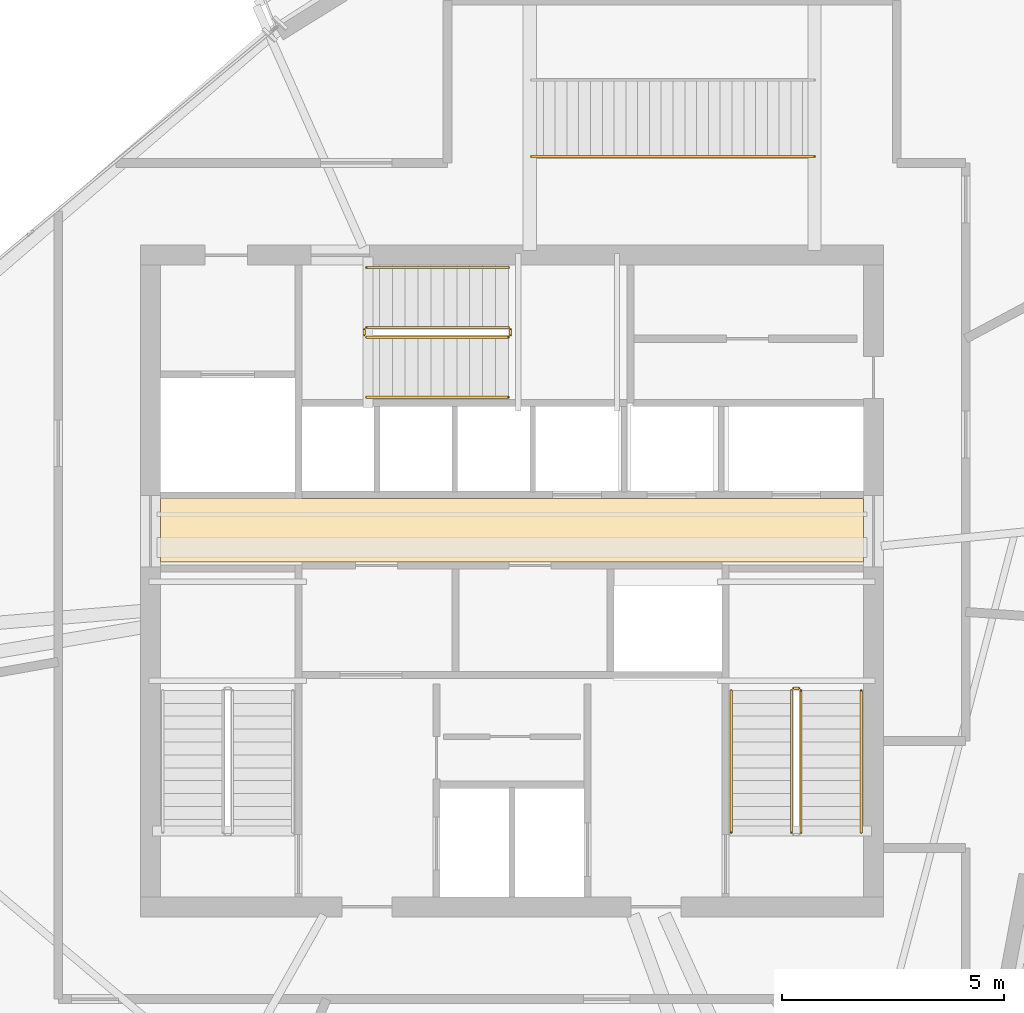
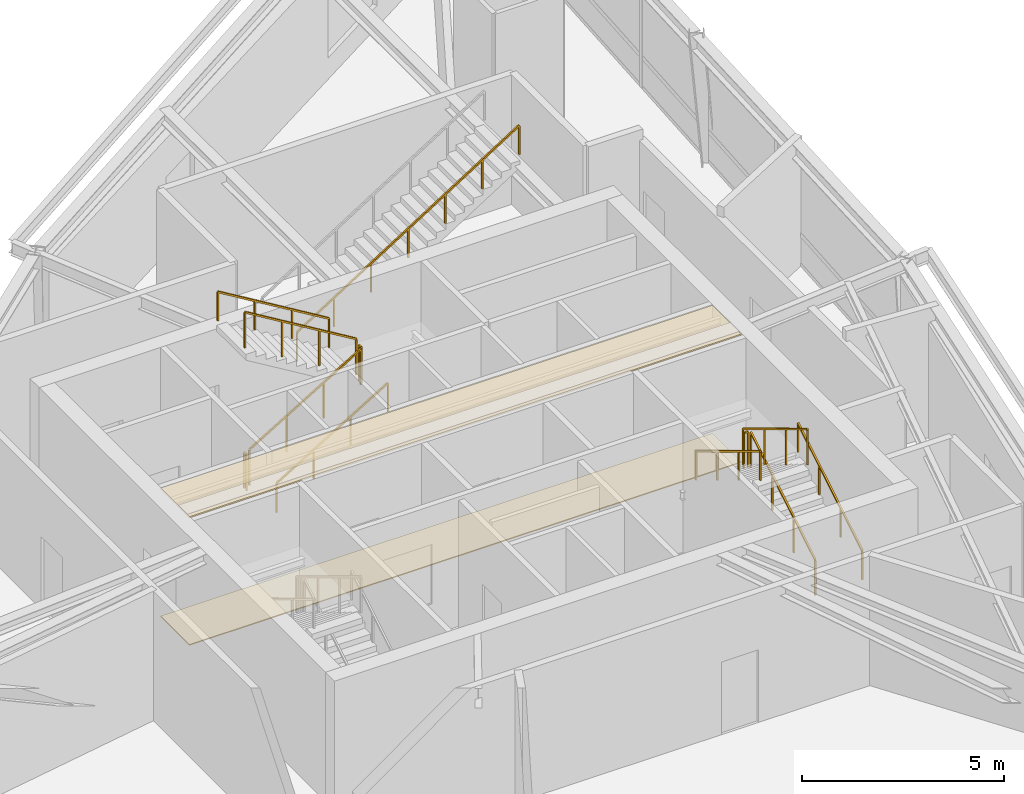
# One storey, part 20 of 21: 12 railings, 2 coverings.
"""IFC4 building model written with IfcOpenShell, lengths in metres."""

from ifc_helpers import new_model, si_unit, direction, frame, origin, origin_2d, place, context, subcontext, project, spatial, polyline, rectangle, outline, extrude, material, layer, layer_set, type_object, element, save


model = new_model("IFC4")

# Units and contexts
model_context = context("Model", 3, precision=1e-05, world=origin(), true_north=direction((0.0, 1.0)))
body_context = subcontext(model_context, "Body", "Model", "MODEL_VIEW")
ifc_project = project(units=[si_unit("LENGTHUNIT", "METRE"), si_unit("AREAUNIT", "SQUARE_METRE"), si_unit("VOLUMEUNIT", "CUBIC_METRE"), si_unit("PLANEANGLEUNIT", "RADIAN"), si_unit("MASSUNIT", "GRAM", prefix="KILO")], contexts=[model_context])

# Site, building, storey
site_placement = place(None, origin())
site = spatial("IfcSite", under=ifc_project, at=site_placement, CompositionType="ELEMENT")
building_placement = place(site_placement, origin())
building = spatial("IfcBuilding", under=site, at=building_placement, Name="Olszyna Solenne Hotel", CompositionType="ELEMENT")
storey_placement = place(building_placement, frame((0.0, 0.0, 277.699951171875)))
storey = spatial("IfcBuildingStorey", under=building, at=storey_placement, Name="L74", CompositionType="ELEMENT", Elevation=277.699951171875)

# Coverings
ifc_material_1 = material(Name="Mineral wool acoustic ceiling")
ifc_layer_1 = layer(ifc_material_1, 0.0400390625, Name="Mineral wool acoustic ceiling")
ifc_layer_set_1 = layer_set([ifc_layer_1], Name="Mineral wool acoustic ceiling")
covering_type_1 = type_object("IfcCoveringType", Name="CL-AC1", PredefinedType="CEILING", material=ifc_layer_set_1)
covering_1_placement = place(storey_placement, frame((0.0, 0.0, 3.860107421875)))
element("IfcCovering", 1, at=covering_1_placement, inside=storey, type_object=covering_type_1, Name="Lift lobby acoustic tile ceiling CL-L74-01", PredefinedType="CEILING", context=body_context, shape_type="SweptSolid", body=[
    extrude(outline(polyline([(30.10009765625, 27.030029296875), (45.89990234375, 27.030029296875), (45.89990234375, 28.4599609375), (30.10009765625, 28.4599609375), (30.10009765625, 27.030029296875)])), origin(), (0.0, 0.0, 1.0), 0.0400390625),
])
ifc_material_2 = material(Name="Ceramic floor tile")
ifc_layer_2 = layer(ifc_material_2, 0.030029296875, Name="Ceramic floor tile")
ifc_layer_set_2 = layer_set([ifc_layer_2], Name="Ceramic floor tile")
covering_type_2 = type_object("IfcCoveringType", Name="FL-TL1", PredefinedType="FLOORING", material=ifc_layer_set_2)
covering_2_placement = place(storey_placement, origin())
element("IfcCovering", 2, at=covering_2_placement, inside=storey, type_object=covering_type_2, Name="Lift lobby stoneware floor finish FLR-L74-01", PredefinedType="FLOORING", context=body_context, shape_type="SweptSolid", body=[
    extrude(outline(polyline([(30.10009765625, 27.030029296875), (45.89990234375, 27.030029296875), (45.89990234375, 28.4599609375), (30.10009765625, 28.4599609375), (30.10009765625, 27.030029296875)])), origin(), (0.0, 0.0, 1.0), 0.030029296875),
])

# Railings
ifc_material_3 = material(Name="Anodised bronze aluminium", Category="aluminium")
railing_type_1 = type_object("IfcRailingType", Name="GR-110", PredefinedType="BALUSTRADE", material=ifc_material_3)
railing_1_placement = place(storey_placement, frame((44.5, 20.949951171875, 0.175048828125)))
element("IfcRailing", 3, at=railing_1_placement, inside=storey, type_object=railing_type_1, Name="L74 ST2 stair guard 1", PredefinedType="BALUSTRADE", context=body_context, shape_type="SweptSolid", body=[
    extrude(rectangle(XDim=0.048095703125, YDim=0.048095703125, at=origin_2d()), frame((0.0, 0.0, 1.076171875), z_axis=(0.0, 0.856177665481, 0.516681531633), x_axis=(-1.0, 0.0, 0.0)), (0.0, 0.0, 1.0), 3.725830078125),
    extrude(rectangle(XDim=0.0419921875, YDim=0.0419921875, at=origin_2d()), origin(), (0.0, 0.0, 1.0), 1.052001953125),
    extrude(rectangle(XDim=0.0419921875, YDim=0.0419921875, at=origin_2d()), frame((0.0, 1.063232421875, 0.6416015625)), (0.0, 0.0, 1.0), 1.052001953125),
    extrude(rectangle(XDim=0.0419921875, YDim=0.0419921875, at=origin_2d()), frame((0.0, 2.126708984375, 1.283447265625)), (0.0, 0.0, 1.0), 1.052001953125),
    extrude(rectangle(XDim=0.0419921875, YDim=0.0419921875, at=origin_2d()), frame((0.0, 3.18994140625, 1.925048828125)), (0.0, 0.0, 1.0), 1.052001953125),
])
railing_2_placement = place(storey_placement, frame((44.449951171875, 24.18994140625, 2.10009765625)))
element("IfcRailing", 4, at=railing_2_placement, inside=storey, type_object=railing_type_1, Name="L74 ST2 stair guard 2", PredefinedType="BALUSTRADE", context=body_context, shape_type="SweptSolid", body=[
    extrude(rectangle(XDim=0.048095703125, YDim=0.048095703125, at=origin_2d()), frame((0.0, 0.0, 1.076171875), z_axis=(-1.0, 0.0, 0.0), x_axis=(0.0, -1.0, 0.0)), (0.0, 0.0, 1.0), 0.119873046875),
    extrude(rectangle(XDim=0.0419921875, YDim=0.0419921875, at=origin_2d()), origin(), (0.0, 0.0, 1.0), 1.052001953125),
    extrude(rectangle(XDim=0.0419921875, YDim=0.0419921875, at=origin_2d()), frame((-0.119873046875, 0.0, 0.0)), (0.0, 0.0, 1.0), 1.052001953125),
])
railing_3_placement = place(storey_placement, frame((44.280029296875, 24.139892578125, 2.275146484375)))
element("IfcRailing", 5, at=railing_3_placement, inside=storey, type_object=railing_type_1, Name="L74 ST2 stair guard 3", PredefinedType="BALUSTRADE", context=body_context, shape_type="SweptSolid", body=[
    extrude(rectangle(XDim=0.048095703125, YDim=0.048095703125, at=origin_2d()), frame((0.0, 0.0, 1.076171875), z_axis=(0.0, -0.856206652436, 0.516633495163), x_axis=(1.0, 0.0, 0.0)), (0.0, 0.0, 1.0), 3.7255859375),
    extrude(rectangle(XDim=0.0419921875, YDim=0.0419921875, at=origin_2d()), origin(), (0.0, 0.0, 1.0), 1.052001953125),
    extrude(rectangle(XDim=0.0419921875, YDim=0.0419921875, at=origin_2d()), frame((0.0, -1.063232421875, 0.6416015625)), (0.0, 0.0, 1.0), 1.052001953125),
    extrude(rectangle(XDim=0.0419921875, YDim=0.0419921875, at=origin_2d()), frame((0.0, -2.126708984375, 1.283203125)), (0.0, 0.0, 1.0), 1.052001953125),
    extrude(rectangle(XDim=0.0419921875, YDim=0.0419921875, at=origin_2d()), frame((0.0, -3.18994140625, 1.9248046875)), (0.0, 0.0, 1.0), 1.052001953125),
])
railing_4_placement = place(storey_placement, frame((34.72998046875, 32.080078125, 0.175048828125)))
element("IfcRailing", 6, at=railing_4_placement, inside=storey, type_object=railing_type_1, Name="L74 ST3 stair guard 1", PredefinedType="BALUSTRADE", context=body_context, shape_type="SweptSolid", body=[
    extrude(rectangle(XDim=0.048095703125, YDim=0.048095703125, at=origin_2d()), frame((0.0, 0.0, 1.076171875), z_axis=(0.856177665481, 0.0, 0.516681531633), x_axis=(0.0, 1.0, 0.0)), (0.0, 0.0, 1.0), 3.725830078125),
    extrude(rectangle(XDim=0.0419921875, YDim=0.0419921875, at=origin_2d()), origin(), (0.0, 0.0, 1.0), 1.052001953125),
    extrude(rectangle(XDim=0.0419921875, YDim=0.0419921875, at=origin_2d()), frame((1.063232421875, 0.0, 0.6416015625)), (0.0, 0.0, 1.0), 1.052001953125),
    extrude(rectangle(XDim=0.0419921875, YDim=0.0419921875, at=origin_2d()), frame((2.126708984375, 0.0, 1.283447265625)), (0.0, 0.0, 1.0), 1.052001953125),
    extrude(rectangle(XDim=0.0419921875, YDim=0.0419921875, at=origin_2d()), frame((3.18994140625, 0.0, 1.925048828125)), (0.0, 0.0, 1.0), 1.052001953125),
])
railing_5_placement = place(storey_placement, frame((37.969970703125, 32.1298828125, 2.10009765625)))
element("IfcRailing", 7, at=railing_5_placement, inside=storey, type_object=railing_type_1, Name="L74 ST3 stair guard 2", PredefinedType="BALUSTRADE", context=body_context, shape_type="SweptSolid", body=[
    extrude(rectangle(XDim=0.048095703125, YDim=0.048095703125, at=origin_2d()), frame((0.0, 0.0, 1.076171875), z_axis=(0.0, 1.0, 0.0), x_axis=(-1.0, 0.0, 0.0)), (0.0, 0.0, 1.0), 0.1201171875),
    extrude(rectangle(XDim=0.0419921875, YDim=0.0419921875, at=origin_2d()), origin(), (0.0, 0.0, 1.0), 1.052001953125),
    extrude(rectangle(XDim=0.0419921875, YDim=0.0419921875, at=origin_2d()), frame((0.0, 0.1201171875, 0.0)), (0.0, 0.0, 1.0), 1.052001953125),
])
railing_6_placement = place(storey_placement, frame((37.919921875, 32.300048828125, 2.275146484375)))
element("IfcRailing", 8, at=railing_6_placement, inside=storey, type_object=railing_type_1, Name="L74 ST3 stair guard 3", PredefinedType="BALUSTRADE", context=body_context, shape_type="SweptSolid", body=[
    extrude(rectangle(XDim=0.048095703125, YDim=0.048095703125, at=origin_2d()), frame((0.0, 0.0, 1.076171875), z_axis=(-0.856206652436, 0.0, 0.516633495163), x_axis=(0.0, -1.0, 0.0)), (0.0, 0.0, 1.0), 3.7255859375),
    extrude(rectangle(XDim=0.0419921875, YDim=0.0419921875, at=origin_2d()), origin(), (0.0, 0.0, 1.0), 1.052001953125),
    extrude(rectangle(XDim=0.0419921875, YDim=0.0419921875, at=origin_2d()), frame((-1.063232421875, 0.0, 0.6416015625)), (0.0, 0.0, 1.0), 1.052001953125),
    extrude(rectangle(XDim=0.0419921875, YDim=0.0419921875, at=origin_2d()), frame((-2.126708984375, 0.0, 1.283203125)), (0.0, 0.0, 1.0), 1.052001953125),
    extrude(rectangle(XDim=0.0419921875, YDim=0.0419921875, at=origin_2d()), frame((-3.18994140625, 0.0, 1.9248046875)), (0.0, 0.0, 1.0), 1.052001953125),
])
railing_7_placement = place(storey_placement, frame((34.679931640625, 32.1298828125, 0.0)))
element("IfcRailing", 9, at=railing_7_placement, inside=storey, type_object=railing_type_1, Name="L74 ST3 stair guard 4", PredefinedType="BALUSTRADE", context=body_context, shape_type="SweptSolid", body=[
    extrude(rectangle(XDim=0.048095703125, YDim=0.048095703125, at=origin_2d()), frame((0.0, 0.0, 1.076171875), z_axis=(0.0, 1.0, 0.0), x_axis=(-1.0, 0.0, 0.0)), (0.0, 0.0, 1.0), 0.1201171875),
    extrude(rectangle(XDim=0.0419921875, YDim=0.0419921875, at=origin_2d()), origin(), (0.0, 0.0, 1.0), 1.052001953125),
    extrude(rectangle(XDim=0.0419921875, YDim=0.0419921875, at=origin_2d()), frame((0.0, 0.1201171875, 0.0)), (0.0, 0.0, 1.0), 1.052001953125),
])
ifc_material_4 = material(Name="Steel S355J2", Category="steel")
railing_type_2 = type_object("IfcRailingType", Name="HR-090", PredefinedType="HANDRAIL", material=ifc_material_4)
railing_8_placement = place(storey_placement, frame((45.85009765625, 20.949951171875, 0.175048828125)))
element("IfcRailing", 10, at=railing_8_placement, inside=storey, type_object=railing_type_2, Name="L74 ST2 stair handrail 1", PredefinedType="HANDRAIL", context=body_context, shape_type="SweptSolid", body=[
    extrude(rectangle(XDim=0.048095703125, YDim=0.048095703125, at=origin_2d()), frame((0.0, 0.0, 0.8759765625), z_axis=(0.0, 0.856177665481, 0.516681531633), x_axis=(-1.0, 0.0, 0.0)), (0.0, 0.0, 1.0), 3.725830078125),
    extrude(rectangle(XDim=0.0419921875, YDim=0.0419921875, at=origin_2d()), origin(), (0.0, 0.0, 1.0), 0.851806640625),
    extrude(rectangle(XDim=0.0419921875, YDim=0.0419921875, at=origin_2d()), frame((0.0, 1.063232421875, 0.6416015625)), (0.0, 0.0, 1.0), 0.851806640625),
    extrude(rectangle(XDim=0.0419921875, YDim=0.0419921875, at=origin_2d()), frame((0.0, 2.126708984375, 1.283447265625)), (0.0, 0.0, 1.0), 0.851806640625),
    extrude(rectangle(XDim=0.0419921875, YDim=0.0419921875, at=origin_2d()), frame((0.0, 3.18994140625, 1.925048828125)), (0.0, 0.0, 1.0), 0.851806640625),
])
railing_9_placement = place(storey_placement, frame((42.929931640625, 24.139892578125, 2.275146484375)))
element("IfcRailing", 11, at=railing_9_placement, inside=storey, type_object=railing_type_2, Name="L74 ST2 stair handrail 2", PredefinedType="HANDRAIL", context=body_context, shape_type="SweptSolid", body=[
    extrude(rectangle(XDim=0.048095703125, YDim=0.048095703125, at=origin_2d()), frame((0.0, 0.0, 0.8759765625), z_axis=(0.0, -0.856206652436, 0.516633495163), x_axis=(1.0, 0.0, 0.0)), (0.0, 0.0, 1.0), 3.7255859375),
    extrude(rectangle(XDim=0.0419921875, YDim=0.0419921875, at=origin_2d()), origin(), (0.0, 0.0, 1.0), 0.851806640625),
    extrude(rectangle(XDim=0.0419921875, YDim=0.0419921875, at=origin_2d()), frame((0.0, -1.063232421875, 0.6416015625)), (0.0, 0.0, 1.0), 0.851806640625),
    extrude(rectangle(XDim=0.0419921875, YDim=0.0419921875, at=origin_2d()), frame((0.0, -2.126708984375, 1.283203125)), (0.0, 0.0, 1.0), 0.851806640625),
    extrude(rectangle(XDim=0.0419921875, YDim=0.0419921875, at=origin_2d()), frame((0.0, -3.18994140625, 1.9248046875)), (0.0, 0.0, 1.0), 0.851806640625),
])
railing_10_placement = place(storey_placement, frame((34.72998046875, 30.72998046875, 0.175048828125)))
element("IfcRailing", 12, at=railing_10_placement, inside=storey, type_object=railing_type_2, Name="L74 ST3 stair handrail 1", PredefinedType="HANDRAIL", context=body_context, shape_type="SweptSolid", body=[
    extrude(rectangle(XDim=0.048095703125, YDim=0.048095703125, at=origin_2d()), frame((0.0, 0.0, 0.8759765625), z_axis=(0.856177665481, 0.0, 0.516681531633), x_axis=(0.0, 1.0, 0.0)), (0.0, 0.0, 1.0), 3.725830078125),
    extrude(rectangle(XDim=0.0419921875, YDim=0.0419921875, at=origin_2d()), origin(), (0.0, 0.0, 1.0), 0.851806640625),
    extrude(rectangle(XDim=0.0419921875, YDim=0.0419921875, at=origin_2d()), frame((1.063232421875, 0.0, 0.6416015625)), (0.0, 0.0, 1.0), 0.851806640625),
    extrude(rectangle(XDim=0.0419921875, YDim=0.0419921875, at=origin_2d()), frame((2.126708984375, 0.0, 1.283447265625)), (0.0, 0.0, 1.0), 0.851806640625),
    extrude(rectangle(XDim=0.0419921875, YDim=0.0419921875, at=origin_2d()), frame((3.18994140625, 0.0, 1.925048828125)), (0.0, 0.0, 1.0), 0.851806640625),
])
railing_11_placement = place(storey_placement, frame((37.919921875, 33.64990234375, 2.275146484375)))
element("IfcRailing", 13, at=railing_11_placement, inside=storey, type_object=railing_type_2, Name="L74 ST3 stair handrail 2", PredefinedType="HANDRAIL", context=body_context, shape_type="SweptSolid", body=[
    extrude(rectangle(XDim=0.048095703125, YDim=0.048095703125, at=origin_2d()), frame((0.0, 0.0, 0.8759765625), z_axis=(-0.856206652436, 0.0, 0.516633495163), x_axis=(0.0, -1.0, 0.0)), (0.0, 0.0, 1.0), 3.7255859375),
    extrude(rectangle(XDim=0.0419921875, YDim=0.0419921875, at=origin_2d()), origin(), (0.0, 0.0, 1.0), 0.851806640625),
    extrude(rectangle(XDim=0.0419921875, YDim=0.0419921875, at=origin_2d()), frame((-1.063232421875, 0.0, 0.6416015625)), (0.0, 0.0, 1.0), 0.851806640625),
    extrude(rectangle(XDim=0.0419921875, YDim=0.0419921875, at=origin_2d()), frame((-2.126708984375, 0.0, 1.283203125)), (0.0, 0.0, 1.0), 0.851806640625),
    extrude(rectangle(XDim=0.0419921875, YDim=0.0419921875, at=origin_2d()), frame((-3.18994140625, 0.0, 1.9248046875)), (0.0, 0.0, 1.0), 0.851806640625),
])
railing_12_placement = place(storey_placement, frame((38.43994140625, 36.139892578125, 0.16796875)))
element("IfcRailing", 14, at=railing_12_placement, inside=storey, type_object=railing_type_2, Name="Feature stair handrail HR-FS-05-S", PredefinedType="HANDRAIL", context=body_context, shape_type="SweptSolid", body=[
    extrude(rectangle(XDim=0.048095703125, YDim=0.048095703125, at=origin_2d()), frame((0.0, 0.0, 0.8759765625), z_axis=(0.844584029699, 0.0, 0.535423026006), x_axis=(0.0, 1.0, 0.0)), (0.0, 0.0, 1.0), 7.530517578125),
    extrude(rectangle(XDim=0.0419921875, YDim=0.0419921875, at=origin_2d()), origin(), (0.0, 0.0, 1.0), 0.851806640625),
    extrude(rectangle(XDim=0.0419921875, YDim=0.0419921875, at=origin_2d()), frame((1.06005859375, 0.0, 0.671875)), (0.0, 0.0, 1.0), 0.851806640625),
    extrude(rectangle(XDim=0.0419921875, YDim=0.0419921875, at=origin_2d()), frame((2.1201171875, 0.0, 1.343994140625)), (0.0, 0.0, 1.0), 0.851806640625),
    extrude(rectangle(XDim=0.0419921875, YDim=0.0419921875, at=origin_2d()), frame((3.18017578125, 0.0, 2.01611328125)), (0.0, 0.0, 1.0), 0.851806640625),
    extrude(rectangle(XDim=0.0419921875, YDim=0.0419921875, at=origin_2d()), frame((4.239990234375, 0.0, 2.68798828125)), (0.0, 0.0, 1.0), 0.851806640625),
    extrude(rectangle(XDim=0.0419921875, YDim=0.0419921875, at=origin_2d()), frame((5.300048828125, 0.0, 3.35986328125)), (0.0, 0.0, 1.0), 0.851806640625),
    extrude(rectangle(XDim=0.0419921875, YDim=0.0419921875, at=origin_2d()), frame((6.360107421875, 0.0, 4.031982421875)), (0.0, 0.0, 1.0), 0.851806640625),
])

save(model, "model.ifc")
